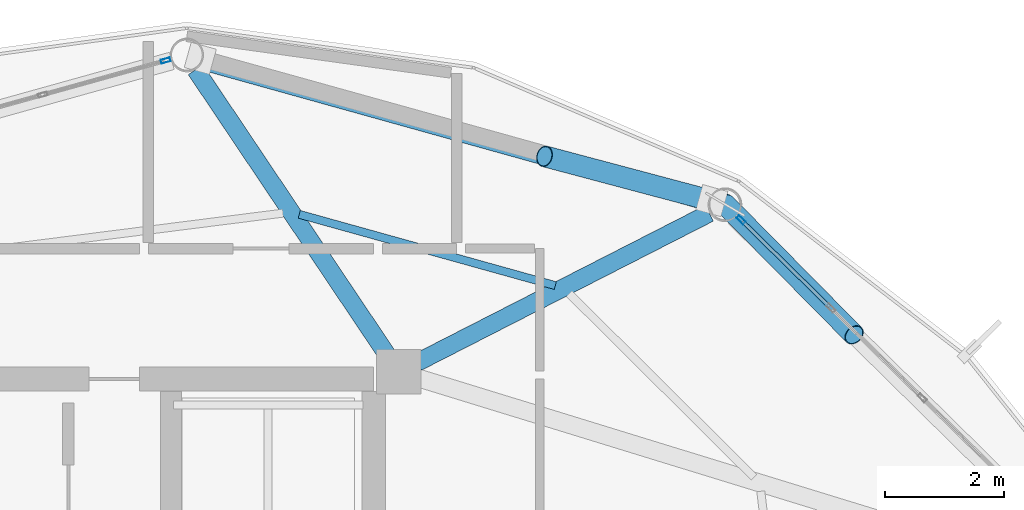
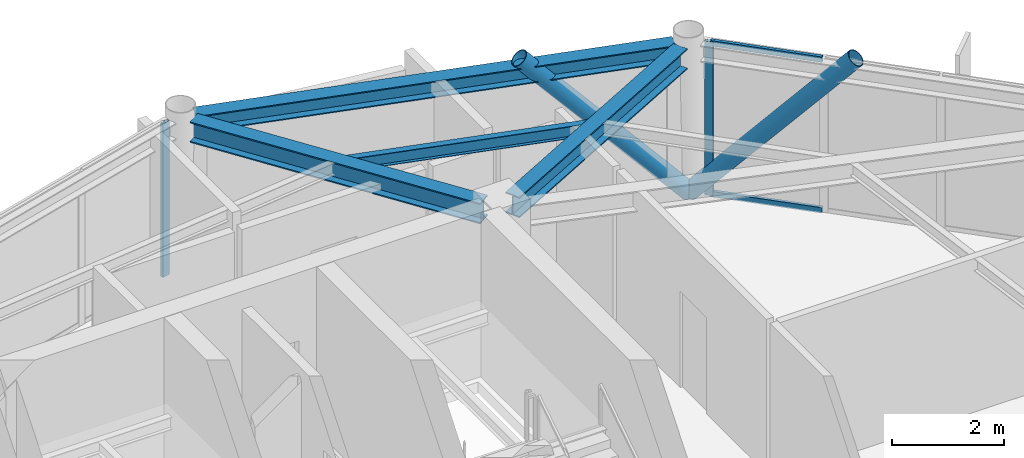
# One storey, part 18 of 25: 6 members, 4 beams, 2 elements without a shape of their own.
"""IFC4 building model written with IfcOpenShell, lengths in metres."""

from ifc_helpers import new_model, si_unit, direction, frame, origin, origin_2d, place, context, subcontext, project, spatial, hollow_rectangle, hollow_circle, i_section, extrude, material, layer, layer_set, material_profile, profile_set, type_object, element, aggregate, save


model = new_model("IFC4")

# Units and contexts
model_context = context("Model", 3, precision=1e-05, world=origin(), true_north=direction((0.0, 1.0)))
body_context = subcontext(model_context, "Body", "Model", "MODEL_VIEW")
ifc_project = project(units=[si_unit("LENGTHUNIT", "METRE"), si_unit("AREAUNIT", "SQUARE_METRE"), si_unit("VOLUMEUNIT", "CUBIC_METRE"), si_unit("PLANEANGLEUNIT", "RADIAN"), si_unit("MASSUNIT", "GRAM", prefix="KILO")], contexts=[model_context])

# Site, building, storey
site_placement = place(None, origin())
site = spatial("IfcSite", under=ifc_project, at=site_placement, CompositionType="ELEMENT")
building_placement = place(site_placement, origin())
building = spatial("IfcBuilding", under=site, at=building_placement, Name="Varnakorn Sky Granary", CompositionType="ELEMENT")
storey_placement = place(building_placement, frame((0.0, 0.0, 259.800048828125)))
storey = spatial("IfcBuildingStorey", under=building, at=storey_placement, Name="L66", CompositionType="ELEMENT", Elevation=259.800048828125)

# Beams
ifc_material_1 = material(Name="Steel S355JR", Category="steel")
ifc_material_profile_1 = material_profile(ifc_material_1, i_section(OverallWidth=0.300048828125, OverallDepth=0.449951171875, WebThickness=0.013916015625, FlangeThickness=0.02587890625, at=origin_2d()), Name="HE 450 B")
ifc_profile_set_1 = profile_set([ifc_material_profile_1], Name="Steel S355JR")
beam_type_1 = type_object("IfcBeamType", Name="BM-RAD-Z5", PredefinedType="BEAM", material=ifc_profile_set_1)
beam_1_placement = place(storey_placement, frame((8.736083984375, 12.781494140625, 3.135009765625), z_axis=(0.890507054339, 0.454969434328, 0.0), x_axis=(-0.454969434328, 0.890507054339, 0.0)))
element("IfcBeam", 1, at=beam_1_placement, inside=storey, type_object=beam_type_1, Name="Radial Floor Girder RG03 L66", PredefinedType="BEAM", context=body_context, shape_type="SweptSolid", body=[
    extrude(i_section(OverallWidth=0.300048828125, OverallDepth=0.449951171875, WebThickness=0.013916015625, FlangeThickness=0.02587890625, at=origin_2d()), origin(), (0.0, 0.0, 1.0), 5.528076171875),
])
beam_2_placement = place(storey_placement, frame((8.22216796875, 12.914794921875, 3.135009765625), z_axis=(-0.557472835211, 0.830195180667, 0.0), x_axis=(-0.830195180667, -0.557472835211, 0.0)))
element("IfcBeam", 2, at=beam_2_placement, inside=storey, type_object=beam_type_1, Name="Radial Floor Girder RG04 L66", PredefinedType="BEAM", context=body_context, shape_type="SweptSolid", body=[
    extrude(i_section(OverallWidth=0.300048828125, OverallDepth=0.449951171875, WebThickness=0.013916015625, FlangeThickness=0.02587890625, at=origin_2d()), origin(), (0.0, 0.0, 1.0), 5.78466796875),
])
ifc_material_profile_2 = material_profile(ifc_material_1, i_section(OverallWidth=0.135009765625, OverallDepth=0.27001953125, WebThickness=0.006591796875, FlangeThickness=0.01025390625, at=origin_2d()), Name="IPE 270")
ifc_profile_set_2 = profile_set([ifc_material_profile_2], Name="Steel S355JR")
beam_type_2 = type_object("IfcBeamType", Name="BM-SEC-Z5", PredefinedType="BEAM", material=ifc_profile_set_2)
beam_3_placement = place(storey_placement, frame((11.062744140625, 14.07666015625, 3.224853515625), z_axis=(-0.96337809649, 0.268146682254, 0.0), x_axis=(-0.268146682254, -0.96337809649, 0.0)))
element("IfcBeam", 3, at=beam_3_placement, inside=storey, type_object=beam_type_2, Name="Secondary Floor Chord Beam MSB03 L66", PredefinedType="BEAM", context=body_context, shape_type="SweptSolid", body=[
    extrude(i_section(OverallWidth=0.135009765625, OverallDepth=0.27001953125, WebThickness=0.006591796875, FlangeThickness=0.01025390625, at=origin_2d()), origin(), (0.0, 0.0, 1.0), 4.482177734375),
])
ifc_material_profile_3 = material_profile(ifc_material_1, i_section(OverallWidth=0.300048828125, OverallDepth=0.360107421875, WebThickness=0.012451171875, FlangeThickness=0.0224609375, at=origin_2d()), Name="HE 360 B")
ifc_profile_set_3 = profile_set([ifc_material_profile_3], Name="Steel S355JR")
beam_type_3 = type_object("IfcBeamType", Name="BM-SPD-Z5", PredefinedType="SPANDREL", material=ifc_profile_set_3)
beam_4_placement = place(storey_placement, frame((13.6396484375, 15.488037109375, 3.179931640625), z_axis=(-0.963310362828, 0.26838991201, 0.0), x_axis=(-0.26838991201, -0.963310362828, 0.0)))
element("IfcBeam", 4, at=beam_4_placement, inside=storey, type_object=beam_type_3, Name="Perimeter Spandrel Ring Beam RB03 L66", PredefinedType="SPANDREL", context=body_context, shape_type="SweptSolid", body=[
    extrude(i_section(OverallWidth=0.300048828125, OverallDepth=0.360107421875, WebThickness=0.012451171875, FlangeThickness=0.0224609375, at=origin_2d()), origin(), (0.0, 0.0, 1.0), 8.85986328125),
])

# Curtain wall, member
ifc_material_2 = material(Name="Anodised Bronze Aluminium Alloy 6063-T6", Category="aluminium")
ifc_layer = layer(ifc_material_2, 0.159912109375, Name="Anodised Bronze Aluminium Alloy 6063-T6")
ifc_layer_set = layer_set([ifc_layer], Name="Anodised Bronze Aluminium Alloy 6063-T6")
curtain_wall_type = type_object("IfcCurtainWallType", Name="CW-OFF-1", PredefinedType="USERDEFINED", material=ifc_layer_set)
curtain_wall_1_placement = place(storey_placement, origin())
curtain_wall_1 = element("IfcCurtainWall", 5, at=curtain_wall_1_placement, inside=storey, type_object=curtain_wall_type, Name="Unitised Curtain Wall CW6 CW-L66-B02", ObjectType="CURTAIN WALL", PredefinedType="USERDEFINED")
ifc_material_profile_4 = material_profile(ifc_material_2, hollow_rectangle(XDim=0.06494140625, YDim=0.159912109375, WallThickness=0.00341796875, at=origin_2d()), Name="ALU MULL 65x160")
ifc_profile_set_4 = profile_set([ifc_material_profile_4], Name="Anodised Bronze Aluminium Alloy 6063-T6")
member_type_1 = type_object("IfcMemberType", Name="CW-OFF-1-MULL", PredefinedType="MULLION", material=ifc_profile_set_4)
member_1_placement = place(storey_placement, frame((14.19384765625, 15.185791015625, 0.0), z_axis=(0.0, 0.0, 1.0), x_axis=(0.700774417108, 0.713382938068, 0.0)))
member_1 = element("IfcMember", 6, at=member_1_placement, type_object=member_type_1, Name="CW6 mullion 1", PredefinedType="MULLION", context=body_context, shape_type="SweptSolid", body=[
    extrude(hollow_rectangle(XDim=0.06494140625, YDim=0.159912109375, WallThickness=0.00341796875, at=origin_2d()), origin(), (0.0, 0.0, 1.0), 3.35986328125),
])

curtain_wall_2_placement = place(storey_placement, origin())
curtain_wall_2 = element("IfcCurtainWall", 7, at=curtain_wall_2_placement, inside=storey, type_object=curtain_wall_type, Name="Unitised Curtain Wall CW6 CW-L66-B04", ObjectType="CURTAIN WALL", PredefinedType="USERDEFINED")
member_2_placement = place(storey_placement, frame((4.49169921875, 17.871337890625, 0.0), z_axis=(0.0, 0.0, 1.0), x_axis=(-0.267911054305, 0.963443650133, 0.0)))
member_2 = element("IfcMember", 8, at=member_2_placement, type_object=member_type_1, Name="CW6 mullion 5", PredefinedType="MULLION", context=body_context, shape_type="SweptSolid", body=[
    extrude(hollow_rectangle(XDim=0.06494140625, YDim=0.159912109375, WallThickness=0.00341796875, at=origin_2d()), origin(), (0.0, 0.0, 1.0), 3.35986328125),
])
aggregate(curtain_wall_2, [member_2])

# Member
ifc_material_profile_5 = material_profile(ifc_material_2, hollow_rectangle(XDim=0.06494140625, YDim=0.1201171875, WallThickness=0.00341796875, at=origin_2d()), Name="ALU TRAN 65x120")
ifc_profile_set_5 = profile_set([ifc_material_profile_5], Name="Anodised Bronze Aluminium Alloy 6063-T6")
member_type_2 = type_object("IfcMemberType", Name="CW-OFF-1-TRAN", PredefinedType="USERDEFINED", material=ifc_profile_set_5)
member_3_placement = place(storey_placement, frame((14.217041015625, 15.162841796875, 0.032470703125), z_axis=(0.713413277068, -0.700743530903, 0.0), x_axis=(0.700743530903, 0.713413277068, 0.0)))
member_3 = element("IfcMember", 9, at=member_3_placement, type_object=member_type_2, Name="CW6 transom 1.1", ObjectType="TRANSOM", PredefinedType="USERDEFINED", context=body_context, shape_type="SweptSolid", body=[
    extrude(hollow_rectangle(XDim=0.06494140625, YDim=0.1201171875, WallThickness=0.00341796875, at=origin_2d()), origin(), (0.0, 0.0, 1.0), 2.061767578125),
])

member_4_placement = place(storey_placement, frame((14.217041015625, 15.162841796875, 3.327392578125), z_axis=(0.713413277068, -0.700743530903, 0.0), x_axis=(0.700743530903, 0.713413277068, 0.0)))
member_4 = element("IfcMember", 10, at=member_4_placement, type_object=member_type_2, Name="CW6 transom 1.2", ObjectType="TRANSOM", PredefinedType="USERDEFINED", context=body_context, shape_type="SweptSolid", body=[
    extrude(hollow_rectangle(XDim=0.06494140625, YDim=0.1201171875, WallThickness=0.00341796875, at=origin_2d()), origin(), (0.0, 0.0, 1.0), 2.061767578125),
])

aggregate(curtain_wall_1, [member_1, member_3, member_4])

# Members
ifc_material_3 = material(Name="Steel S460M", Category="steel")
ifc_material_profile_6 = material_profile(ifc_material_3, hollow_circle(Radius=0.177734375, WallThickness=0.01416015625, at=origin_2d()), Name="CHS 355.6x14")
ifc_profile_set_6 = profile_set([ifc_material_profile_6], Name="Steel S460M")
member_type_3 = type_object("IfcMemberType", Name="MB-DIAG-T5", PredefinedType="BRACE", material=ifc_profile_set_6)
member_5_placement = place(storey_placement, frame((13.928466796875, 15.4462890625, 0.0), z_axis=(0.465987041714, -0.472007546129, 0.74837487488), x_axis=(0.711630677266, 0.702553755362, 0.0)))
element("IfcMember", 11, at=member_5_placement, inside=storey, type_object=member_type_3, Name="Perimeter CHS Diagrid Brace DG02 L66", PredefinedType="BRACE", context=body_context, shape_type="SweptSolid", body=[
    extrude(hollow_circle(Radius=0.177734375, WallThickness=0.01416015625, at=origin_2d()), origin(), (0.0, 0.0, 1.0), 4.663330078125),
])
member_6_placement = place(storey_placement, frame((13.928466796875, 15.4462890625, 0.0), z_axis=(-0.648059807708, 0.172341978011, 0.741833356117), x_axis=(-0.257002712525, -0.966410681726, 0.0)))
element("IfcMember", 12, at=member_6_placement, inside=storey, type_object=member_type_3, Name="Perimeter CHS Diagrid Brace DG03 L66", PredefinedType="BRACE", context=body_context, shape_type="SweptSolid", body=[
    extrude(hollow_circle(Radius=0.177734375, WallThickness=0.01416015625, at=origin_2d()), origin(), (0.0, 0.0, 1.0), 4.70458984375),
])

save(model, "model.ifc")
